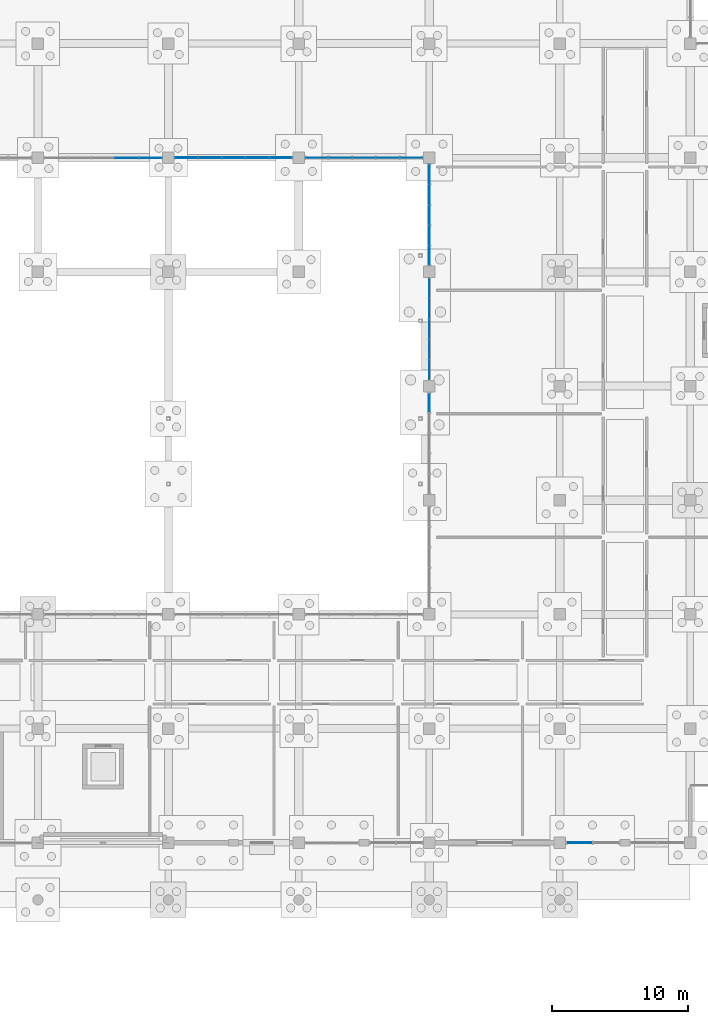
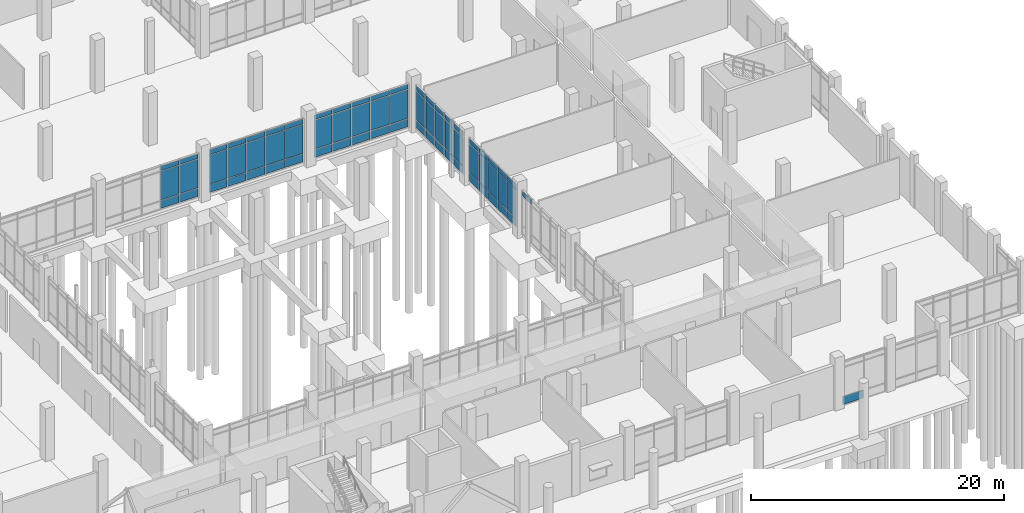
# One storey, part 85 of 136: 68 plates, 7 elements without a shape of their own.
"""IFC4 building model written with IfcOpenShell, lengths in metres."""

from ifc_helpers import new_model, si_unit, direction, frame, origin, origin_2d, place, context, subcontext, project, spatial, rectangle, extrude, material, layer, layer_set, type_object, element, aggregate, save


model = new_model("IFC4")

# Units and contexts
model_context = context("Model", 3, precision=1e-05, world=origin(), true_north=direction((0.0, 1.0)))
body_context = subcontext(model_context, "Body", "Model", "MODEL_VIEW")
ifc_project = project(units=[si_unit("LENGTHUNIT", "METRE"), si_unit("AREAUNIT", "SQUARE_METRE"), si_unit("VOLUMEUNIT", "CUBIC_METRE"), si_unit("PLANEANGLEUNIT", "RADIAN"), si_unit("MASSUNIT", "GRAM", prefix="KILO")], contexts=[model_context])

# Site, building, storey
site_placement = place(None, origin())
site = spatial("IfcSite", under=ifc_project, at=site_placement, CompositionType="ELEMENT")
building_placement = place(site_placement, origin())
building = spatial("IfcBuilding", under=site, at=building_placement, Name="Oolite Switchyard Hospital", CompositionType="ELEMENT")
storey_placement = place(building_placement, origin())
storey = spatial("IfcBuildingStorey", under=building, at=storey_placement, Name="L00", CompositionType="ELEMENT", Elevation=0.0)

# Curtain wall, plate
ifc_material_1 = material(Name="Thermally broken aluminum frame with laminated impact glazing", Category="aluminium")
curtain_wall_type_1 = type_object("IfcCurtainWallType", Name="CW-UNIT-84X51", PredefinedType="USERDEFINED", material=ifc_material_1)
curtain_wall_1_placement = place(storey_placement, origin())
curtain_wall_1 = element("IfcCurtainWall", 1, at=curtain_wall_1_placement, inside=storey, type_object=curtain_wall_type_1, Name="L00 Unitised Curtain Wall 8", ObjectType="UNITISED", PredefinedType="USERDEFINED")
ifc_material_2 = material(Name="Insulated fluoropolymer-coated aluminum spandrel panel", Category="aluminium")
ifc_layer_1 = layer(ifc_material_2, 0.054931640625)
ifc_layer_set_1 = layer_set([ifc_layer_1], Name="CW-PNL-SPN55")
plate_type_1 = type_object("IfcPlateType", Name="CW-PNL-SPN55", PredefinedType="CURTAIN_PANEL", material=ifc_layer_set_1)
plate_1_placement = place(storey_placement, frame((193.451171875, 8.39990234375, 0.06005859375), z_axis=(0.0, 0.0, 1.0), x_axis=(-1.0, 0.0, 0.0)))
plate_1 = element("IfcPlate", 2, at=plate_1_placement, type_object=plate_type_1, Name="CW-06 panel 2.1", PredefinedType="CURTAIN_PANEL", context=body_context, shape_type="SweptSolid", body=[
    extrude(rectangle(XDim=1.87255859375, YDim=0.054931640625, at=origin_2d()), origin(), (0.0, 0.0, 1.0), 0.760009765625),
])
aggregate(curtain_wall_1, [plate_1])

# Curtain wall, plates
curtain_wall_type_2 = type_object("IfcCurtainWallType", Name="CW-UNIT-96X51", PredefinedType="USERDEFINED", material=ifc_material_1)
curtain_wall_2_placement = place(storey_placement, origin())
curtain_wall_2 = element("IfcCurtainWall", 3, at=curtain_wall_2_placement, inside=storey, type_object=curtain_wall_type_2, Name="L00 Unitised Curtain Wall 22", ObjectType="UNITISED", PredefinedType="USERDEFINED")
plate_2_placement = place(storey_placement, frame((171.470458984375, 58.800048828125, 0.06005859375), z_axis=(0.0, 0.0, 1.0), x_axis=(-1.0, 0.0, 0.0)))
plate_2 = element("IfcPlate", 4, at=plate_2_placement, type_object=plate_type_1, Name="CW-01 panel 1.1", PredefinedType="CURTAIN_PANEL", context=body_context, shape_type="SweptSolid", body=[
    extrude(rectangle(XDim=1.638916015625, YDim=0.054931640625, at=origin_2d()), origin(), (0.0, 0.0, 1.0), 0.760009765625),
])
plate_3_placement = place(storey_placement, frame((171.470458984375, 58.800048828125, 0.8798828125), z_axis=(0.0, 0.0, 1.0), x_axis=(-1.0, 0.0, 0.0)))
plate_3 = element("IfcPlate", 5, at=plate_3_placement, type_object=plate_type_1, Name="CW-01 panel 1.2", PredefinedType="CURTAIN_PANEL", context=body_context, shape_type="SweptSolid", body=[
    extrude(rectangle(XDim=1.638916015625, YDim=0.054931640625, at=origin_2d()), origin(), (0.0, 0.0, 1.0), 2.780029296875),
])
plate_4_placement = place(storey_placement, frame((171.470458984375, 58.800048828125, 3.719970703125), z_axis=(0.0, 0.0, 1.0), x_axis=(-1.0, 0.0, 0.0)))
plate_4 = element("IfcPlate", 6, at=plate_4_placement, type_object=plate_type_1, Name="CW-01 panel 1.3", PredefinedType="CURTAIN_PANEL", context=body_context, shape_type="SweptSolid", body=[
    extrude(rectangle(XDim=1.638916015625, YDim=0.054931640625, at=origin_2d()), origin(), (0.0, 0.0, 1.0), 0.4599609375),
])
plate_5_placement = place(storey_placement, frame((169.743896484375, 58.800048828125, 0.06005859375), z_axis=(0.0, 0.0, 1.0), x_axis=(-1.0, 0.0, 0.0)))
plate_5 = element("IfcPlate", 7, at=plate_5_placement, type_object=plate_type_1, Name="CW-01 panel 2.1", PredefinedType="CURTAIN_PANEL", context=body_context, shape_type="SweptSolid", body=[
    extrude(rectangle(XDim=1.674072265625, YDim=0.054931640625, at=origin_2d()), origin(), (0.0, 0.0, 1.0), 0.760009765625),
])
plate_6_placement = place(storey_placement, frame((169.743896484375, 58.800048828125, 0.8798828125), z_axis=(0.0, 0.0, 1.0), x_axis=(-1.0, 0.0, 0.0)))
plate_6 = element("IfcPlate", 8, at=plate_6_placement, type_object=plate_type_1, Name="CW-01 panel 2.2", PredefinedType="CURTAIN_PANEL", context=body_context, shape_type="SweptSolid", body=[
    extrude(rectangle(XDim=1.674072265625, YDim=0.054931640625, at=origin_2d()), origin(), (0.0, 0.0, 1.0), 2.780029296875),
])
plate_7_placement = place(storey_placement, frame((169.743896484375, 58.800048828125, 3.719970703125), z_axis=(0.0, 0.0, 1.0), x_axis=(-1.0, 0.0, 0.0)))
plate_7 = element("IfcPlate", 9, at=plate_7_placement, type_object=plate_type_1, Name="CW-01 panel 2.3", PredefinedType="CURTAIN_PANEL", context=body_context, shape_type="SweptSolid", body=[
    extrude(rectangle(XDim=1.674072265625, YDim=0.054931640625, at=origin_2d()), origin(), (0.0, 0.0, 1.0), 0.4599609375),
])
plate_8_placement = place(storey_placement, frame((168.0, 58.800048828125, 0.06005859375), z_axis=(0.0, 0.0, 1.0), x_axis=(-1.0, 0.0, 0.0)))
plate_8 = element("IfcPlate", 10, at=plate_8_placement, type_object=plate_type_1, Name="CW-01 panel 3.1", PredefinedType="CURTAIN_PANEL", context=body_context, shape_type="SweptSolid", body=[
    extrude(rectangle(XDim=1.674072265625, YDim=0.054931640625, at=origin_2d()), origin(), (0.0, 0.0, 1.0), 0.760009765625),
])
plate_9_placement = place(storey_placement, frame((168.0, 58.800048828125, 0.8798828125), z_axis=(0.0, 0.0, 1.0), x_axis=(-1.0, 0.0, 0.0)))
plate_9 = element("IfcPlate", 11, at=plate_9_placement, type_object=plate_type_1, Name="CW-01 panel 3.2", PredefinedType="CURTAIN_PANEL", context=body_context, shape_type="SweptSolid", body=[
    extrude(rectangle(XDim=1.674072265625, YDim=0.054931640625, at=origin_2d()), origin(), (0.0, 0.0, 1.0), 2.780029296875),
])
plate_10_placement = place(storey_placement, frame((168.0, 58.800048828125, 3.719970703125), z_axis=(0.0, 0.0, 1.0), x_axis=(-1.0, 0.0, 0.0)))
plate_10 = element("IfcPlate", 12, at=plate_10_placement, type_object=plate_type_1, Name="CW-01 panel 3.3", PredefinedType="CURTAIN_PANEL", context=body_context, shape_type="SweptSolid", body=[
    extrude(rectangle(XDim=1.674072265625, YDim=0.054931640625, at=origin_2d()), origin(), (0.0, 0.0, 1.0), 0.4599609375),
])
plate_11_placement = place(storey_placement, frame((166.256103515625, 58.800048828125, 0.06005859375), z_axis=(0.0, 0.0, 1.0), x_axis=(-1.0, 0.0, 0.0)))
plate_11 = element("IfcPlate", 13, at=plate_11_placement, type_object=plate_type_1, Name="CW-01 panel 4.1", PredefinedType="CURTAIN_PANEL", context=body_context, shape_type="SweptSolid", body=[
    extrude(rectangle(XDim=1.674072265625, YDim=0.054931640625, at=origin_2d()), origin(), (0.0, 0.0, 1.0), 0.760009765625),
])
plate_12_placement = place(storey_placement, frame((166.256103515625, 58.800048828125, 0.8798828125), z_axis=(0.0, 0.0, 1.0), x_axis=(-1.0, 0.0, 0.0)))
plate_12 = element("IfcPlate", 14, at=plate_12_placement, type_object=plate_type_1, Name="CW-01 panel 4.2", PredefinedType="CURTAIN_PANEL", context=body_context, shape_type="SweptSolid", body=[
    extrude(rectangle(XDim=1.674072265625, YDim=0.054931640625, at=origin_2d()), origin(), (0.0, 0.0, 1.0), 2.780029296875),
])
plate_13_placement = place(storey_placement, frame((166.256103515625, 58.800048828125, 3.719970703125), z_axis=(0.0, 0.0, 1.0), x_axis=(-1.0, 0.0, 0.0)))
plate_13 = element("IfcPlate", 15, at=plate_13_placement, type_object=plate_type_1, Name="CW-01 panel 4.3", PredefinedType="CURTAIN_PANEL", context=body_context, shape_type="SweptSolid", body=[
    extrude(rectangle(XDim=1.674072265625, YDim=0.054931640625, at=origin_2d()), origin(), (0.0, 0.0, 1.0), 0.4599609375),
])
plate_14_placement = place(storey_placement, frame((164.529541015625, 58.800048828125, 0.06005859375), z_axis=(0.0, 0.0, 1.0), x_axis=(-1.0, 0.0, 0.0)))
plate_14 = element("IfcPlate", 16, at=plate_14_placement, type_object=plate_type_1, Name="CW-01 panel 5.1", PredefinedType="CURTAIN_PANEL", context=body_context, shape_type="SweptSolid", body=[
    extrude(rectangle(XDim=1.638916015625, YDim=0.054931640625, at=origin_2d()), origin(), (0.0, 0.0, 1.0), 0.760009765625),
])
plate_15_placement = place(storey_placement, frame((164.529541015625, 58.800048828125, 0.8798828125), z_axis=(0.0, 0.0, 1.0), x_axis=(-1.0, 0.0, 0.0)))
plate_15 = element("IfcPlate", 17, at=plate_15_placement, type_object=plate_type_1, Name="CW-01 panel 5.2", PredefinedType="CURTAIN_PANEL", context=body_context, shape_type="SweptSolid", body=[
    extrude(rectangle(XDim=1.638916015625, YDim=0.054931640625, at=origin_2d()), origin(), (0.0, 0.0, 1.0), 2.780029296875),
])
plate_16_placement = place(storey_placement, frame((164.529541015625, 58.800048828125, 3.719970703125), z_axis=(0.0, 0.0, 1.0), x_axis=(-1.0, 0.0, 0.0)))
plate_16 = element("IfcPlate", 18, at=plate_16_placement, type_object=plate_type_1, Name="CW-01 panel 5.3", PredefinedType="CURTAIN_PANEL", context=body_context, shape_type="SweptSolid", body=[
    extrude(rectangle(XDim=1.638916015625, YDim=0.054931640625, at=origin_2d()), origin(), (0.0, 0.0, 1.0), 0.4599609375),
])
aggregate(curtain_wall_2, [plate_2, plate_3, plate_4, plate_5, plate_6, plate_7, plate_8, plate_9, plate_10, plate_11, plate_12, plate_13, plate_14, plate_15, plate_16])

# Curtain wall, plate
curtain_wall_3_placement = place(storey_placement, origin())
curtain_wall_3 = element("IfcCurtainWall", 19, at=curtain_wall_3_placement, inside=storey, type_object=curtain_wall_type_1, Name="L00 Unitised Curtain Wall 83", ObjectType="UNITISED", PredefinedType="USERDEFINED")
ifc_layer_2 = layer(ifc_material_2, 0.070068359375)
ifc_layer_set_2 = layer_set([ifc_layer_2], Name="CW-PNL-SPN70")
plate_type_2 = type_object("IfcPlateType", Name="CW-PNL-SPN70", PredefinedType="CURTAIN_PANEL", material=ifc_layer_set_2)
plate_17_placement = place(storey_placement, frame((182.39990234375, 40.789306640625, 3.7275390625), z_axis=(0.0, 0.0, 1.0), x_axis=(0.0, 1.0, 0.0)))
plate_17 = element("IfcPlate", 20, at=plate_17_placement, type_object=plate_type_2, Name="CW-06 panel 5.3", PredefinedType="CURTAIN_PANEL", context=body_context, shape_type="SweptSolid", body=[
    extrude(rectangle(XDim=1.3916015625, YDim=0.070068359375, at=origin_2d()), origin(), (0.0, 0.0, 1.0), 0.4375),
])
aggregate(curtain_wall_3, [plate_17])

# Curtain wall, plates
curtain_wall_4_placement = place(storey_placement, origin())
curtain_wall_4 = element("IfcCurtainWall", 21, at=curtain_wall_4_placement, inside=storey, type_object=curtain_wall_type_2, Name="L00 Unitised Curtain Wall 23", ObjectType="UNITISED", PredefinedType="USERDEFINED")
ifc_material_3 = material(Name="Laminated hurricane-impact insulated glazing unit", Category="glass")
ifc_layer_3 = layer(ifc_material_3, 0.028076171875)
ifc_layer_set_3 = layer_set([ifc_layer_3], Name="CW-PNL-VIS28")
plate_type_3 = type_object("IfcPlateType", Name="CW-PNL-VIS28", PredefinedType="CURTAIN_PANEL", material=ifc_layer_set_3)
plate_18_placement = place(storey_placement, frame((181.0693359375, 58.800048828125, 0.0751953125), z_axis=(0.0, 0.0, 1.0), x_axis=(-1.0, 0.0, 0.0)))
plate_18 = element("IfcPlate", 22, at=plate_18_placement, type_object=plate_type_3, Name="CW-01 panel 1.1", PredefinedType="CURTAIN_PANEL", context=body_context, shape_type="SweptSolid", body=[
    extrude(rectangle(XDim=1.631591796875, YDim=0.028076171875, at=origin_2d()), origin(), (0.0, 0.0, 1.0), 0.737548828125),
])
plate_19_placement = place(storey_placement, frame((181.0693359375, 58.800048828125, 0.8876953125), z_axis=(0.0, 0.0, 1.0), x_axis=(-1.0, 0.0, 0.0)))
plate_19 = element("IfcPlate", 23, at=plate_19_placement, type_object=plate_type_3, Name="CW-01 panel 1.2", PredefinedType="CURTAIN_PANEL", context=body_context, shape_type="SweptSolid", body=[
    extrude(rectangle(XDim=1.631591796875, YDim=0.028076171875, at=origin_2d()), origin(), (0.0, 0.0, 1.0), 2.764892578125),
])
plate_20_placement = place(storey_placement, frame((181.0693359375, 58.800048828125, 3.7275390625), z_axis=(0.0, 0.0, 1.0), x_axis=(-1.0, 0.0, 0.0)))
plate_20 = element("IfcPlate", 24, at=plate_20_placement, type_object=plate_type_3, Name="CW-01 panel 1.3", PredefinedType="CURTAIN_PANEL", context=body_context, shape_type="SweptSolid", body=[
    extrude(rectangle(XDim=1.631591796875, YDim=0.028076171875, at=origin_2d()), origin(), (0.0, 0.0, 1.0), 0.4375),
])
plate_21_placement = place(storey_placement, frame((179.343994140625, 58.800048828125, 0.0751953125), z_axis=(0.0, 0.0, 1.0), x_axis=(-1.0, 0.0, 0.0)))
plate_21 = element("IfcPlate", 25, at=plate_21_placement, type_object=plate_type_3, Name="CW-01 panel 2.1", PredefinedType="CURTAIN_PANEL", context=body_context, shape_type="SweptSolid", body=[
    extrude(rectangle(XDim=1.6689453125, YDim=0.028076171875, at=origin_2d()), origin(), (0.0, 0.0, 1.0), 0.737548828125),
])
plate_22_placement = place(storey_placement, frame((179.343994140625, 58.800048828125, 0.8876953125), z_axis=(0.0, 0.0, 1.0), x_axis=(-1.0, 0.0, 0.0)))
plate_22 = element("IfcPlate", 26, at=plate_22_placement, type_object=plate_type_3, Name="CW-01 panel 2.2", PredefinedType="CURTAIN_PANEL", context=body_context, shape_type="SweptSolid", body=[
    extrude(rectangle(XDim=1.6689453125, YDim=0.028076171875, at=origin_2d()), origin(), (0.0, 0.0, 1.0), 2.764892578125),
])
plate_23_placement = place(storey_placement, frame((179.343994140625, 58.800048828125, 3.7275390625), z_axis=(0.0, 0.0, 1.0), x_axis=(-1.0, 0.0, 0.0)))
plate_23 = element("IfcPlate", 27, at=plate_23_placement, type_object=plate_type_3, Name="CW-01 panel 2.3", PredefinedType="CURTAIN_PANEL", context=body_context, shape_type="SweptSolid", body=[
    extrude(rectangle(XDim=1.6689453125, YDim=0.028076171875, at=origin_2d()), origin(), (0.0, 0.0, 1.0), 0.4375),
])
plate_24_placement = place(storey_placement, frame((177.60009765625, 58.800048828125, 0.0751953125), z_axis=(0.0, 0.0, 1.0), x_axis=(-1.0, 0.0, 0.0)))
plate_24 = element("IfcPlate", 28, at=plate_24_placement, type_object=plate_type_3, Name="CW-01 panel 3.1", PredefinedType="CURTAIN_PANEL", context=body_context, shape_type="SweptSolid", body=[
    extrude(rectangle(XDim=1.6689453125, YDim=0.028076171875, at=origin_2d()), origin(), (0.0, 0.0, 1.0), 0.737548828125),
])
plate_25_placement = place(storey_placement, frame((177.60009765625, 58.800048828125, 0.8876953125), z_axis=(0.0, 0.0, 1.0), x_axis=(-1.0, 0.0, 0.0)))
plate_25 = element("IfcPlate", 29, at=plate_25_placement, type_object=plate_type_3, Name="CW-01 panel 3.2", PredefinedType="CURTAIN_PANEL", context=body_context, shape_type="SweptSolid", body=[
    extrude(rectangle(XDim=1.6689453125, YDim=0.028076171875, at=origin_2d()), origin(), (0.0, 0.0, 1.0), 2.764892578125),
])
plate_26_placement = place(storey_placement, frame((177.60009765625, 58.800048828125, 3.7275390625), z_axis=(0.0, 0.0, 1.0), x_axis=(-1.0, 0.0, 0.0)))
plate_26 = element("IfcPlate", 30, at=plate_26_placement, type_object=plate_type_3, Name="CW-01 panel 3.3", PredefinedType="CURTAIN_PANEL", context=body_context, shape_type="SweptSolid", body=[
    extrude(rectangle(XDim=1.6689453125, YDim=0.028076171875, at=origin_2d()), origin(), (0.0, 0.0, 1.0), 0.4375),
])
plate_27_placement = place(storey_placement, frame((175.85595703125, 58.800048828125, 0.0751953125), z_axis=(0.0, 0.0, 1.0), x_axis=(-1.0, 0.0, 0.0)))
plate_27 = element("IfcPlate", 31, at=plate_27_placement, type_object=plate_type_3, Name="CW-01 panel 4.1", PredefinedType="CURTAIN_PANEL", context=body_context, shape_type="SweptSolid", body=[
    extrude(rectangle(XDim=1.6689453125, YDim=0.028076171875, at=origin_2d()), origin(), (0.0, 0.0, 1.0), 0.737548828125),
])
plate_28_placement = place(storey_placement, frame((175.85595703125, 58.800048828125, 0.8876953125), z_axis=(0.0, 0.0, 1.0), x_axis=(-1.0, 0.0, 0.0)))
plate_28 = element("IfcPlate", 32, at=plate_28_placement, type_object=plate_type_3, Name="CW-01 panel 4.2", PredefinedType="CURTAIN_PANEL", context=body_context, shape_type="SweptSolid", body=[
    extrude(rectangle(XDim=1.6689453125, YDim=0.028076171875, at=origin_2d()), origin(), (0.0, 0.0, 1.0), 2.764892578125),
])
plate_29_placement = place(storey_placement, frame((175.85595703125, 58.800048828125, 3.7275390625), z_axis=(0.0, 0.0, 1.0), x_axis=(-1.0, 0.0, 0.0)))
plate_29 = element("IfcPlate", 33, at=plate_29_placement, type_object=plate_type_3, Name="CW-01 panel 4.3", PredefinedType="CURTAIN_PANEL", context=body_context, shape_type="SweptSolid", body=[
    extrude(rectangle(XDim=1.6689453125, YDim=0.028076171875, at=origin_2d()), origin(), (0.0, 0.0, 1.0), 0.4375),
])
plate_30_placement = place(storey_placement, frame((174.130859375, 58.800048828125, 0.0751953125), z_axis=(0.0, 0.0, 1.0), x_axis=(-1.0, 0.0, 0.0)))
plate_30 = element("IfcPlate", 34, at=plate_30_placement, type_object=plate_type_3, Name="CW-01 panel 5.1", PredefinedType="CURTAIN_PANEL", context=body_context, shape_type="SweptSolid", body=[
    extrude(rectangle(XDim=1.631591796875, YDim=0.028076171875, at=origin_2d()), origin(), (0.0, 0.0, 1.0), 0.737548828125),
])
plate_31_placement = place(storey_placement, frame((174.130859375, 58.800048828125, 0.8876953125), z_axis=(0.0, 0.0, 1.0), x_axis=(-1.0, 0.0, 0.0)))
plate_31 = element("IfcPlate", 35, at=plate_31_placement, type_object=plate_type_3, Name="CW-01 panel 5.2", PredefinedType="CURTAIN_PANEL", context=body_context, shape_type="SweptSolid", body=[
    extrude(rectangle(XDim=1.631591796875, YDim=0.028076171875, at=origin_2d()), origin(), (0.0, 0.0, 1.0), 2.764892578125),
])
plate_32_placement = place(storey_placement, frame((174.130859375, 58.800048828125, 3.7275390625), z_axis=(0.0, 0.0, 1.0), x_axis=(-1.0, 0.0, 0.0)))
plate_32 = element("IfcPlate", 36, at=plate_32_placement, type_object=plate_type_3, Name="CW-01 panel 5.3", PredefinedType="CURTAIN_PANEL", context=body_context, shape_type="SweptSolid", body=[
    extrude(rectangle(XDim=1.631591796875, YDim=0.028076171875, at=origin_2d()), origin(), (0.0, 0.0, 1.0), 0.4375),
])
aggregate(curtain_wall_4, [plate_18, plate_19, plate_20, plate_21, plate_22, plate_23, plate_24, plate_25, plate_26, plate_27, plate_28, plate_29, plate_30, plate_31, plate_32])

curtain_wall_5_placement = place(storey_placement, origin())
curtain_wall_5 = element("IfcCurtainWall", 37, at=curtain_wall_5_placement, inside=storey, type_object=curtain_wall_type_1, Name="L00 Unitised Curtain Wall 84", ObjectType="UNITISED", PredefinedType="USERDEFINED")
ifc_layer_4 = layer(ifc_material_3, 0.031982421875)
ifc_layer_set_4 = layer_set([ifc_layer_4], Name="CW-PNL-VIS32")
plate_type_4 = type_object("IfcPlateType", Name="CW-PNL-VIS32", PredefinedType="CURTAIN_PANEL", material=ifc_layer_set_4)
plate_33_placement = place(storey_placement, frame((182.39990234375, 43.20703125, 0.06005859375), z_axis=(0.0, 0.0, 1.0), x_axis=(0.0, 1.0, 0.0)))
plate_33 = element("IfcPlate", 38, at=plate_33_placement, type_object=plate_type_4, Name="CW-06 panel 1.1", PredefinedType="CURTAIN_PANEL", context=body_context, shape_type="SweptSolid", body=[
    extrude(rectangle(XDim=1.4140625, YDim=0.031982421875, at=origin_2d()), origin(), (0.0, 0.0, 1.0), 0.760009765625),
])
plate_34_placement = place(storey_placement, frame((182.39990234375, 43.20703125, 0.8798828125), z_axis=(0.0, 0.0, 1.0), x_axis=(0.0, 1.0, 0.0)))
plate_34 = element("IfcPlate", 39, at=plate_34_placement, type_object=plate_type_4, Name="CW-06 panel 1.2", PredefinedType="CURTAIN_PANEL", context=body_context, shape_type="SweptSolid", body=[
    extrude(rectangle(XDim=1.4140625, YDim=0.031982421875, at=origin_2d()), origin(), (0.0, 0.0, 1.0), 2.780029296875),
])
plate_35_placement = place(storey_placement, frame((182.39990234375, 43.20703125, 3.719970703125), z_axis=(0.0, 0.0, 1.0), x_axis=(0.0, 1.0, 0.0)))
plate_35 = element("IfcPlate", 40, at=plate_35_placement, type_object=plate_type_4, Name="CW-06 panel 1.3", PredefinedType="CURTAIN_PANEL", context=body_context, shape_type="SweptSolid", body=[
    extrude(rectangle(XDim=1.4140625, YDim=0.031982421875, at=origin_2d()), origin(), (0.0, 0.0, 1.0), 0.4599609375),
])
plate_36_placement = place(storey_placement, frame((182.39990234375, 44.696044921875, 0.06005859375), z_axis=(0.0, 0.0, 1.0), x_axis=(0.0, 1.0, 0.0)))
plate_36 = element("IfcPlate", 41, at=plate_36_placement, type_object=plate_type_4, Name="CW-06 panel 2.1", PredefinedType="CURTAIN_PANEL", context=body_context, shape_type="SweptSolid", body=[
    extrude(rectangle(XDim=1.444091796875, YDim=0.031982421875, at=origin_2d()), origin(), (0.0, 0.0, 1.0), 0.760009765625),
])
plate_37_placement = place(storey_placement, frame((182.39990234375, 44.696044921875, 0.8798828125), z_axis=(0.0, 0.0, 1.0), x_axis=(0.0, 1.0, 0.0)))
plate_37 = element("IfcPlate", 42, at=plate_37_placement, type_object=plate_type_4, Name="CW-06 panel 2.2", PredefinedType="CURTAIN_PANEL", context=body_context, shape_type="SweptSolid", body=[
    extrude(rectangle(XDim=1.444091796875, YDim=0.031982421875, at=origin_2d()), origin(), (0.0, 0.0, 1.0), 2.780029296875),
])
plate_38_placement = place(storey_placement, frame((182.39990234375, 44.696044921875, 3.719970703125), z_axis=(0.0, 0.0, 1.0), x_axis=(0.0, 1.0, 0.0)))
plate_38 = element("IfcPlate", 43, at=plate_38_placement, type_object=plate_type_4, Name="CW-06 panel 2.3", PredefinedType="CURTAIN_PANEL", context=body_context, shape_type="SweptSolid", body=[
    extrude(rectangle(XDim=1.444091796875, YDim=0.031982421875, at=origin_2d()), origin(), (0.0, 0.0, 1.0), 0.4599609375),
])
plate_39_placement = place(storey_placement, frame((182.39990234375, 46.199951171875, 0.06005859375), z_axis=(0.0, 0.0, 1.0), x_axis=(0.0, 1.0, 0.0)))
plate_39 = element("IfcPlate", 44, at=plate_39_placement, type_object=plate_type_4, Name="CW-06 panel 3.1", PredefinedType="CURTAIN_PANEL", context=body_context, shape_type="SweptSolid", body=[
    extrude(rectangle(XDim=1.444091796875, YDim=0.031982421875, at=origin_2d()), origin(), (0.0, 0.0, 1.0), 0.760009765625),
])
plate_40_placement = place(storey_placement, frame((182.39990234375, 46.199951171875, 0.8798828125), z_axis=(0.0, 0.0, 1.0), x_axis=(0.0, 1.0, 0.0)))
plate_40 = element("IfcPlate", 45, at=plate_40_placement, type_object=plate_type_4, Name="CW-06 panel 3.2", PredefinedType="CURTAIN_PANEL", context=body_context, shape_type="SweptSolid", body=[
    extrude(rectangle(XDim=1.444091796875, YDim=0.031982421875, at=origin_2d()), origin(), (0.0, 0.0, 1.0), 2.780029296875),
])
plate_41_placement = place(storey_placement, frame((182.39990234375, 46.199951171875, 3.719970703125), z_axis=(0.0, 0.0, 1.0), x_axis=(0.0, 1.0, 0.0)))
plate_41 = element("IfcPlate", 46, at=plate_41_placement, type_object=plate_type_4, Name="CW-06 panel 3.3", PredefinedType="CURTAIN_PANEL", context=body_context, shape_type="SweptSolid", body=[
    extrude(rectangle(XDim=1.444091796875, YDim=0.031982421875, at=origin_2d()), origin(), (0.0, 0.0, 1.0), 0.4599609375),
])
plate_42_placement = place(storey_placement, frame((182.39990234375, 47.7041015625, 0.06005859375), z_axis=(0.0, 0.0, 1.0), x_axis=(0.0, 1.0, 0.0)))
plate_42 = element("IfcPlate", 47, at=plate_42_placement, type_object=plate_type_4, Name="CW-06 panel 4.1", PredefinedType="CURTAIN_PANEL", context=body_context, shape_type="SweptSolid", body=[
    extrude(rectangle(XDim=1.444091796875, YDim=0.031982421875, at=origin_2d()), origin(), (0.0, 0.0, 1.0), 0.760009765625),
])
plate_43_placement = place(storey_placement, frame((182.39990234375, 47.7041015625, 0.8798828125), z_axis=(0.0, 0.0, 1.0), x_axis=(0.0, 1.0, 0.0)))
plate_43 = element("IfcPlate", 48, at=plate_43_placement, type_object=plate_type_4, Name="CW-06 panel 4.2", PredefinedType="CURTAIN_PANEL", context=body_context, shape_type="SweptSolid", body=[
    extrude(rectangle(XDim=1.444091796875, YDim=0.031982421875, at=origin_2d()), origin(), (0.0, 0.0, 1.0), 2.780029296875),
])
plate_44_placement = place(storey_placement, frame((182.39990234375, 47.7041015625, 3.719970703125), z_axis=(0.0, 0.0, 1.0), x_axis=(0.0, 1.0, 0.0)))
plate_44 = element("IfcPlate", 49, at=plate_44_placement, type_object=plate_type_4, Name="CW-06 panel 4.3", PredefinedType="CURTAIN_PANEL", context=body_context, shape_type="SweptSolid", body=[
    extrude(rectangle(XDim=1.444091796875, YDim=0.031982421875, at=origin_2d()), origin(), (0.0, 0.0, 1.0), 0.4599609375),
])
plate_45_placement = place(storey_placement, frame((182.39990234375, 49.193115234375, 0.06005859375), z_axis=(0.0, 0.0, 1.0), x_axis=(0.0, 1.0, 0.0)))
plate_45 = element("IfcPlate", 50, at=plate_45_placement, type_object=plate_type_4, Name="CW-06 panel 5.1", PredefinedType="CURTAIN_PANEL", context=body_context, shape_type="SweptSolid", body=[
    extrude(rectangle(XDim=1.4140625, YDim=0.031982421875, at=origin_2d()), origin(), (0.0, 0.0, 1.0), 0.760009765625),
])
plate_46_placement = place(storey_placement, frame((182.39990234375, 49.193115234375, 0.8798828125), z_axis=(0.0, 0.0, 1.0), x_axis=(0.0, 1.0, 0.0)))
plate_46 = element("IfcPlate", 51, at=plate_46_placement, type_object=plate_type_4, Name="CW-06 panel 5.2", PredefinedType="CURTAIN_PANEL", context=body_context, shape_type="SweptSolid", body=[
    extrude(rectangle(XDim=1.4140625, YDim=0.031982421875, at=origin_2d()), origin(), (0.0, 0.0, 1.0), 2.780029296875),
])
plate_47_placement = place(storey_placement, frame((182.39990234375, 49.193115234375, 3.719970703125), z_axis=(0.0, 0.0, 1.0), x_axis=(0.0, 1.0, 0.0)))
plate_47 = element("IfcPlate", 52, at=plate_47_placement, type_object=plate_type_4, Name="CW-06 panel 5.3", PredefinedType="CURTAIN_PANEL", context=body_context, shape_type="SweptSolid", body=[
    extrude(rectangle(XDim=1.4140625, YDim=0.031982421875, at=origin_2d()), origin(), (0.0, 0.0, 1.0), 0.4599609375),
])
aggregate(curtain_wall_5, [plate_33, plate_34, plate_35, plate_36, plate_37, plate_38, plate_39, plate_40, plate_41, plate_42, plate_43, plate_44, plate_45, plate_46, plate_47])

curtain_wall_6_placement = place(storey_placement, origin())
curtain_wall_6 = element("IfcCurtainWall", 53, at=curtain_wall_6_placement, inside=storey, type_object=curtain_wall_type_2, Name="L00 Unitised Curtain Wall 21", ObjectType="UNITISED", PredefinedType="USERDEFINED")
ifc_layer_5 = layer(ifc_material_3, 0.035888671875)
ifc_layer_set_5 = layer_set([ifc_layer_5], Name="CW-PNL-VIS36")
plate_type_5 = type_object("IfcPlateType", Name="CW-PNL-VIS36", PredefinedType="CURTAIN_PANEL", material=ifc_layer_set_5)
plate_48_placement = place(storey_placement, frame((161.873046875, 58.800048828125, 0.0751953125), z_axis=(0.0, 0.0, 1.0), x_axis=(-1.0, 0.0, 0.0)))
plate_48 = element("IfcPlate", 54, at=plate_48_placement, type_object=plate_type_5, Name="CW-01 panel 1.1", PredefinedType="CURTAIN_PANEL", context=body_context, shape_type="SweptSolid", body=[
    extrude(rectangle(XDim=1.654052734375, YDim=0.035888671875, at=origin_2d()), origin(), (0.0, 0.0, 1.0), 0.737548828125),
])
plate_49_placement = place(storey_placement, frame((161.873046875, 58.800048828125, 0.8876953125), z_axis=(0.0, 0.0, 1.0), x_axis=(-1.0, 0.0, 0.0)))
plate_49 = element("IfcPlate", 55, at=plate_49_placement, type_object=plate_type_5, Name="CW-01 panel 1.2", PredefinedType="CURTAIN_PANEL", context=body_context, shape_type="SweptSolid", body=[
    extrude(rectangle(XDim=1.654052734375, YDim=0.035888671875, at=origin_2d()), origin(), (0.0, 0.0, 1.0), 2.764892578125),
])
plate_50_placement = place(storey_placement, frame((161.873046875, 58.800048828125, 3.7275390625), z_axis=(0.0, 0.0, 1.0), x_axis=(-1.0, 0.0, 0.0)))
plate_50 = element("IfcPlate", 56, at=plate_50_placement, type_object=plate_type_5, Name="CW-01 panel 1.3", PredefinedType="CURTAIN_PANEL", context=body_context, shape_type="SweptSolid", body=[
    extrude(rectangle(XDim=1.654052734375, YDim=0.035888671875, at=origin_2d()), origin(), (0.0, 0.0, 1.0), 0.4375),
])
plate_51_placement = place(storey_placement, frame((160.14404296875, 58.800048828125, 0.0751953125), z_axis=(0.0, 0.0, 1.0), x_axis=(-1.0, 0.0, 0.0)))
plate_51 = element("IfcPlate", 57, at=plate_51_placement, type_object=plate_type_5, Name="CW-01 panel 2.1", PredefinedType="CURTAIN_PANEL", context=body_context, shape_type="SweptSolid", body=[
    extrude(rectangle(XDim=1.68408203125, YDim=0.035888671875, at=origin_2d()), origin(), (0.0, 0.0, 1.0), 0.737548828125),
])
plate_52_placement = place(storey_placement, frame((160.14404296875, 58.800048828125, 0.8876953125), z_axis=(0.0, 0.0, 1.0), x_axis=(-1.0, 0.0, 0.0)))
plate_52 = element("IfcPlate", 58, at=plate_52_placement, type_object=plate_type_5, Name="CW-01 panel 2.2", PredefinedType="CURTAIN_PANEL", context=body_context, shape_type="SweptSolid", body=[
    extrude(rectangle(XDim=1.68408203125, YDim=0.035888671875, at=origin_2d()), origin(), (0.0, 0.0, 1.0), 2.764892578125),
])
plate_53_placement = place(storey_placement, frame((160.14404296875, 58.800048828125, 3.7275390625), z_axis=(0.0, 0.0, 1.0), x_axis=(-1.0, 0.0, 0.0)))
plate_53 = element("IfcPlate", 59, at=plate_53_placement, type_object=plate_type_5, Name="CW-01 panel 2.3", PredefinedType="CURTAIN_PANEL", context=body_context, shape_type="SweptSolid", body=[
    extrude(rectangle(XDim=1.68408203125, YDim=0.035888671875, at=origin_2d()), origin(), (0.0, 0.0, 1.0), 0.4375),
])
aggregate(curtain_wall_6, [plate_48, plate_49, plate_50, plate_51, plate_52, plate_53])

curtain_wall_7_placement = place(storey_placement, origin())
curtain_wall_7 = element("IfcCurtainWall", 60, at=curtain_wall_7_placement, inside=storey, type_object=curtain_wall_type_1, Name="L00 Unitised Curtain Wall 85", ObjectType="UNITISED", PredefinedType="USERDEFINED")
ifc_layer_6 = layer(ifc_material_3, 0.0419921875)
ifc_layer_set_6 = layer_set([ifc_layer_6], Name="CW-PNL-VIS42")
plate_type_6 = type_object("IfcPlateType", Name="CW-PNL-VIS42", PredefinedType="CURTAIN_PANEL", material=ifc_layer_set_6)
plate_54_placement = place(storey_placement, frame((182.39990234375, 51.609619140625, 0.0751953125), z_axis=(0.0, 0.0, 1.0), x_axis=(0.0, 1.0, 0.0)))
plate_54 = element("IfcPlate", 61, at=plate_54_placement, type_object=plate_type_6, Name="CW-06 panel 1.1", PredefinedType="CURTAIN_PANEL", context=body_context, shape_type="SweptSolid", body=[
    extrude(rectangle(XDim=1.39892578125, YDim=0.0419921875, at=origin_2d()), origin(), (0.0, 0.0, 1.0), 0.737548828125),
])
plate_55_placement = place(storey_placement, frame((182.39990234375, 51.609619140625, 0.8876953125), z_axis=(0.0, 0.0, 1.0), x_axis=(0.0, 1.0, 0.0)))
plate_55 = element("IfcPlate", 62, at=plate_55_placement, type_object=plate_type_6, Name="CW-06 panel 1.2", PredefinedType="CURTAIN_PANEL", context=body_context, shape_type="SweptSolid", body=[
    extrude(rectangle(XDim=1.39892578125, YDim=0.0419921875, at=origin_2d()), origin(), (0.0, 0.0, 1.0), 2.764892578125),
])
plate_56_placement = place(storey_placement, frame((182.39990234375, 51.609619140625, 3.7275390625), z_axis=(0.0, 0.0, 1.0), x_axis=(0.0, 1.0, 0.0)))
plate_56 = element("IfcPlate", 63, at=plate_56_placement, type_object=plate_type_6, Name="CW-06 panel 1.3", PredefinedType="CURTAIN_PANEL", context=body_context, shape_type="SweptSolid", body=[
    extrude(rectangle(XDim=1.39892578125, YDim=0.0419921875, at=origin_2d()), origin(), (0.0, 0.0, 1.0), 0.4375),
])
plate_57_placement = place(storey_placement, frame((182.39990234375, 53.095947265625, 0.0751953125), z_axis=(0.0, 0.0, 1.0), x_axis=(0.0, 1.0, 0.0)))
plate_57 = element("IfcPlate", 64, at=plate_57_placement, type_object=plate_type_6, Name="CW-06 panel 2.1", PredefinedType="CURTAIN_PANEL", context=body_context, shape_type="SweptSolid", body=[
    extrude(rectangle(XDim=1.43408203125, YDim=0.0419921875, at=origin_2d()), origin(), (0.0, 0.0, 1.0), 0.737548828125),
])
plate_58_placement = place(storey_placement, frame((182.39990234375, 53.095947265625, 0.8876953125), z_axis=(0.0, 0.0, 1.0), x_axis=(0.0, 1.0, 0.0)))
plate_58 = element("IfcPlate", 65, at=plate_58_placement, type_object=plate_type_6, Name="CW-06 panel 2.2", PredefinedType="CURTAIN_PANEL", context=body_context, shape_type="SweptSolid", body=[
    extrude(rectangle(XDim=1.43408203125, YDim=0.0419921875, at=origin_2d()), origin(), (0.0, 0.0, 1.0), 2.764892578125),
])
plate_59_placement = place(storey_placement, frame((182.39990234375, 53.095947265625, 3.7275390625), z_axis=(0.0, 0.0, 1.0), x_axis=(0.0, 1.0, 0.0)))
plate_59 = element("IfcPlate", 66, at=plate_59_placement, type_object=plate_type_6, Name="CW-06 panel 2.3", PredefinedType="CURTAIN_PANEL", context=body_context, shape_type="SweptSolid", body=[
    extrude(rectangle(XDim=1.43408203125, YDim=0.0419921875, at=origin_2d()), origin(), (0.0, 0.0, 1.0), 0.4375),
])
plate_60_placement = place(storey_placement, frame((182.39990234375, 54.60009765625, 0.0751953125), z_axis=(0.0, 0.0, 1.0), x_axis=(0.0, 1.0, 0.0)))
plate_60 = element("IfcPlate", 67, at=plate_60_placement, type_object=plate_type_6, Name="CW-06 panel 3.1", PredefinedType="CURTAIN_PANEL", context=body_context, shape_type="SweptSolid", body=[
    extrude(rectangle(XDim=1.43408203125, YDim=0.0419921875, at=origin_2d()), origin(), (0.0, 0.0, 1.0), 0.737548828125),
])
plate_61_placement = place(storey_placement, frame((182.39990234375, 54.60009765625, 0.8876953125), z_axis=(0.0, 0.0, 1.0), x_axis=(0.0, 1.0, 0.0)))
plate_61 = element("IfcPlate", 68, at=plate_61_placement, type_object=plate_type_6, Name="CW-06 panel 3.2", PredefinedType="CURTAIN_PANEL", context=body_context, shape_type="SweptSolid", body=[
    extrude(rectangle(XDim=1.43408203125, YDim=0.0419921875, at=origin_2d()), origin(), (0.0, 0.0, 1.0), 2.764892578125),
])
plate_62_placement = place(storey_placement, frame((182.39990234375, 54.60009765625, 3.7275390625), z_axis=(0.0, 0.0, 1.0), x_axis=(0.0, 1.0, 0.0)))
plate_62 = element("IfcPlate", 69, at=plate_62_placement, type_object=plate_type_6, Name="CW-06 panel 3.3", PredefinedType="CURTAIN_PANEL", context=body_context, shape_type="SweptSolid", body=[
    extrude(rectangle(XDim=1.43408203125, YDim=0.0419921875, at=origin_2d()), origin(), (0.0, 0.0, 1.0), 0.4375),
])
plate_63_placement = place(storey_placement, frame((182.39990234375, 56.10400390625, 0.0751953125), z_axis=(0.0, 0.0, 1.0), x_axis=(0.0, 1.0, 0.0)))
plate_63 = element("IfcPlate", 70, at=plate_63_placement, type_object=plate_type_6, Name="CW-06 panel 4.1", PredefinedType="CURTAIN_PANEL", context=body_context, shape_type="SweptSolid", body=[
    extrude(rectangle(XDim=1.43408203125, YDim=0.0419921875, at=origin_2d()), origin(), (0.0, 0.0, 1.0), 0.737548828125),
])
plate_64_placement = place(storey_placement, frame((182.39990234375, 56.10400390625, 0.8876953125), z_axis=(0.0, 0.0, 1.0), x_axis=(0.0, 1.0, 0.0)))
plate_64 = element("IfcPlate", 71, at=plate_64_placement, type_object=plate_type_6, Name="CW-06 panel 4.2", PredefinedType="CURTAIN_PANEL", context=body_context, shape_type="SweptSolid", body=[
    extrude(rectangle(XDim=1.43408203125, YDim=0.0419921875, at=origin_2d()), origin(), (0.0, 0.0, 1.0), 2.764892578125),
])
plate_65_placement = place(storey_placement, frame((182.39990234375, 56.10400390625, 3.7275390625), z_axis=(0.0, 0.0, 1.0), x_axis=(0.0, 1.0, 0.0)))
plate_65 = element("IfcPlate", 72, at=plate_65_placement, type_object=plate_type_6, Name="CW-06 panel 4.3", PredefinedType="CURTAIN_PANEL", context=body_context, shape_type="SweptSolid", body=[
    extrude(rectangle(XDim=1.43408203125, YDim=0.0419921875, at=origin_2d()), origin(), (0.0, 0.0, 1.0), 0.4375),
])
plate_66_placement = place(storey_placement, frame((182.39990234375, 57.590576171875, 0.0751953125), z_axis=(0.0, 0.0, 1.0), x_axis=(0.0, 1.0, 0.0)))
plate_66 = element("IfcPlate", 73, at=plate_66_placement, type_object=plate_type_6, Name="CW-06 panel 5.1", PredefinedType="CURTAIN_PANEL", context=body_context, shape_type="SweptSolid", body=[
    extrude(rectangle(XDim=1.39892578125, YDim=0.0419921875, at=origin_2d()), origin(), (0.0, 0.0, 1.0), 0.737548828125),
])
plate_67_placement = place(storey_placement, frame((182.39990234375, 57.590576171875, 0.8876953125), z_axis=(0.0, 0.0, 1.0), x_axis=(0.0, 1.0, 0.0)))
plate_67 = element("IfcPlate", 74, at=plate_67_placement, type_object=plate_type_6, Name="CW-06 panel 5.2", PredefinedType="CURTAIN_PANEL", context=body_context, shape_type="SweptSolid", body=[
    extrude(rectangle(XDim=1.39892578125, YDim=0.0419921875, at=origin_2d()), origin(), (0.0, 0.0, 1.0), 2.764892578125),
])
plate_68_placement = place(storey_placement, frame((182.39990234375, 57.590576171875, 3.7275390625), z_axis=(0.0, 0.0, 1.0), x_axis=(0.0, 1.0, 0.0)))
plate_68 = element("IfcPlate", 75, at=plate_68_placement, type_object=plate_type_6, Name="CW-06 panel 5.3", PredefinedType="CURTAIN_PANEL", context=body_context, shape_type="SweptSolid", body=[
    extrude(rectangle(XDim=1.39892578125, YDim=0.0419921875, at=origin_2d()), origin(), (0.0, 0.0, 1.0), 0.4375),
])
aggregate(curtain_wall_7, [plate_54, plate_55, plate_56, plate_57, plate_58, plate_59, plate_60, plate_61, plate_62, plate_63, plate_64, plate_65, plate_66, plate_67, plate_68])

save(model, "model.ifc")
